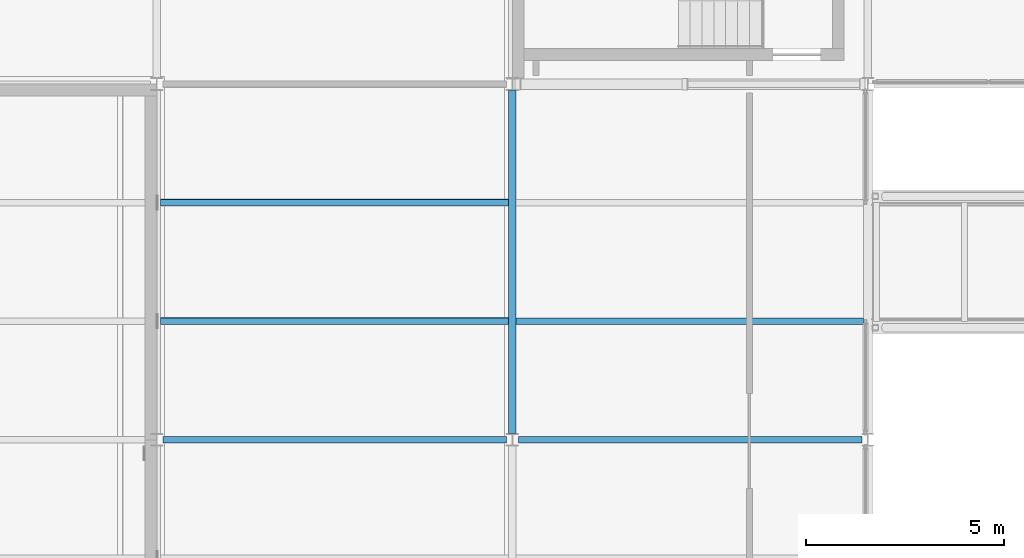
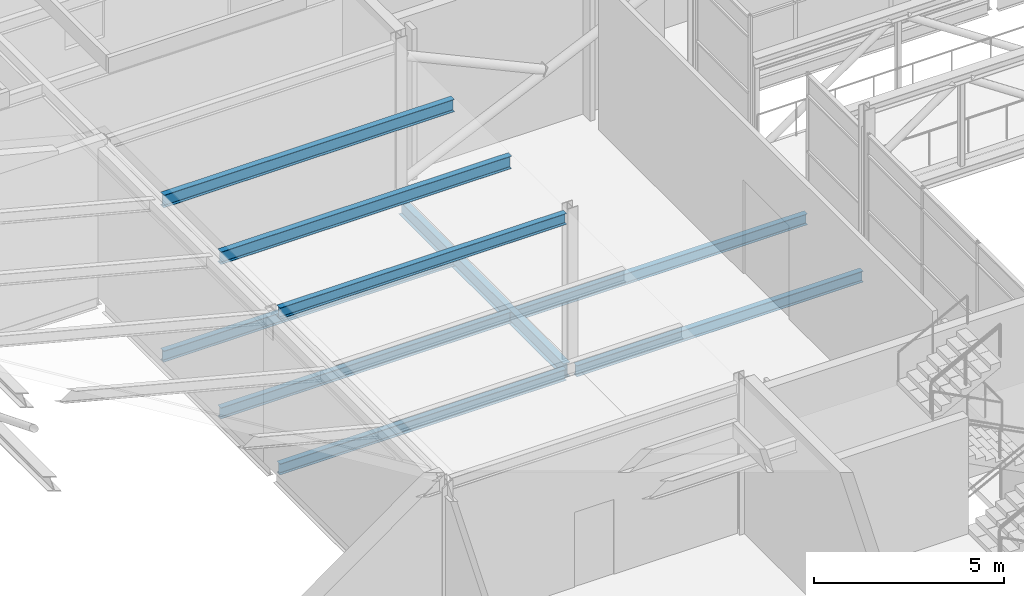
# One storey, part 45 of 115: 9 beams.
"""IFC4 building model written with IfcOpenShell, lengths in metres."""

from ifc_helpers import new_model, si_unit, direction, frame, origin, origin_2d, place, context, subcontext, project, spatial, i_section, extrude, material, material_profile, profile_set, type_object, element, save


model = new_model("IFC4")

# Units and contexts
model_context = context("Model", 3, precision=1e-05, world=origin(), true_north=direction((0.0, 1.0)))
body_context = subcontext(model_context, "Body", "Model", "MODEL_VIEW")
ifc_project = project(units=[si_unit("LENGTHUNIT", "METRE"), si_unit("AREAUNIT", "SQUARE_METRE"), si_unit("VOLUMEUNIT", "CUBIC_METRE"), si_unit("PLANEANGLEUNIT", "RADIAN"), si_unit("MASSUNIT", "GRAM", prefix="KILO")], contexts=[model_context])

# Site, building, storey
site_placement = place(None, origin())
site = spatial("IfcSite", under=ifc_project, at=site_placement, CompositionType="ELEMENT")
building_placement = place(site_placement, origin())
building = spatial("IfcBuilding", under=site, at=building_placement, Name="Shorebreak Coast Museum", CompositionType="ELEMENT")
storey_placement = place(building_placement, frame((0.0, 0.0, 11.0)))
storey = spatial("IfcBuildingStorey", under=building, at=storey_placement, Name="L02", CompositionType="ELEMENT", Elevation=11.0)

# Beams
ifc_material_1 = material(Name="Steel Grade 300", Category="steel")
ifc_material_profile_1 = material_profile(ifc_material_1, i_section(OverallWidth=0.1708984375, OverallDepth=0.355712890625, WebThickness=0.00732421875, FlangeThickness=0.011474609375, FilletRadius=0.011474609375, at=origin_2d()), Name="360UB50.7")
ifc_profile_set_1 = profile_set([ifc_material_profile_1], Name="Steel Grade 300")
beam_type_1 = type_object("IfcBeamType", Name="Floor girder east-west 360UB50.7", PredefinedType="BEAM", material=ifc_profile_set_1)
beam_1_placement = place(storey_placement, frame((45.155517578125, 72.0, -0.352783203125), z_axis=(1.0, 0.0, 0.0), x_axis=(0.0, 1.0, 0.0)))
element("IfcBeam", 1, at=beam_1_placement, inside=storey, type_object=beam_type_1, Name="Floor girder east-west L02 6J", PredefinedType="BEAM", context=body_context, shape_type="SweptSolid", body=[
    extrude(i_section(OverallWidth=0.1708984375, OverallDepth=0.355712890625, WebThickness=0.00732421875, FlangeThickness=0.011474609375, FilletRadius=0.011474609375, at=origin_2d()), origin(), (0.0, 0.0, 1.0), 8.68994140625),
])
ifc_material_2 = material(Name="Steel Grade 300", Category="steel")
ifc_material_profile_2 = material_profile(ifc_material_2, i_section(OverallWidth=0.172119140625, OverallDepth=0.358642578125, WebThickness=0.008056640625, FlangeThickness=0.012939453125, FilletRadius=0.011474609375, at=origin_2d()), Name="360UB56.7")
ifc_profile_set_2 = profile_set([ifc_material_profile_2], Name="Steel Grade 300")
beam_type_2 = type_object("IfcBeamType", Name="Floor girder east-west 360UB56.7", PredefinedType="BEAM", material=ifc_profile_set_2)
beam_2_placement = place(storey_placement, frame((54.154541015625, 72.0, -0.354248046875), z_axis=(1.0, 0.0, 0.0), x_axis=(0.0, 1.0, 0.0)))
element("IfcBeam", 2, at=beam_2_placement, inside=storey, type_object=beam_type_2, Name="Floor girder east-west L02 7J", PredefinedType="BEAM", context=body_context, shape_type="SweptSolid", body=[
    extrude(i_section(OverallWidth=0.172119140625, OverallDepth=0.358642578125, WebThickness=0.008056640625, FlangeThickness=0.012939453125, FilletRadius=0.011474609375, at=origin_2d()), origin(), (0.0, 0.0, 1.0), 8.68994140625),
])
ifc_material_3 = material(Name="Steel Grade 300", Category="steel")
ifc_material_profile_3 = material_profile(ifc_material_3, i_section(OverallWidth=0.19091796875, OverallDepth=0.46044921875, WebThickness=0.010009765625, FlangeThickness=0.01611328125, FilletRadius=0.011474609375, at=origin_2d()), Name="460UB82.1")
ifc_profile_set_3 = profile_set([ifc_material_profile_3], Name="Steel Grade 300")
beam_type_3 = type_object("IfcBeamType", Name="Floor girder north-south 460UB82.1", PredefinedType="BEAM", material=ifc_profile_set_3)
beam_3_placement = place(storey_placement, frame((54.0, 72.160400390625, -0.4052734375), z_axis=(0.0, 1.0, 0.0), x_axis=(-1.0, 0.0, 0.0)))
element("IfcBeam", 3, at=beam_3_placement, inside=storey, type_object=beam_type_3, Name="Floor girder north-south L02 7J", PredefinedType="BEAM", context=body_context, shape_type="SweptSolid", body=[
    extrude(i_section(OverallWidth=0.19091796875, OverallDepth=0.46044921875, WebThickness=0.010009765625, FlangeThickness=0.01611328125, FilletRadius=0.011474609375, at=origin_2d()), origin(), (0.0, 0.0, 1.0), 8.67919921875),
])
ifc_material_4 = material(Name="Steel Grade 300", Category="steel")
ifc_material_profile_4 = material_profile(ifc_material_4, i_section(OverallWidth=0.1708984375, OverallDepth=0.35205078125, WebThickness=0.0068359375, FlangeThickness=0.009765625, FilletRadius=0.011474609375, at=origin_2d()), Name="360UB44.7")
ifc_profile_set_4 = profile_set([ifc_material_profile_4], Name="Steel Grade 300")
beam_type_4 = type_object("IfcBeamType", Name="Floor joist 360UB44.7", PredefinedType="JOIST", material=ifc_profile_set_4)
beam_4_placement = place(storey_placement, frame((54.095458984375, 75.0, -0.35107421875), z_axis=(1.0, 0.0, 0.0), x_axis=(0.0, 1.0, 0.0)))
element("IfcBeam", 4, at=beam_4_placement, inside=storey, type_object=beam_type_4, Name="Floor joist L02 bay 7J at 3000 mm", PredefinedType="JOIST", context=body_context, shape_type="SweptSolid", body=[
    extrude(i_section(OverallWidth=0.1708984375, OverallDepth=0.35205078125, WebThickness=0.0068359375, FlangeThickness=0.009765625, FilletRadius=0.011474609375, at=origin_2d()), origin(), (0.0, 0.0, 1.0), 8.7900390625),
])
ifc_material_5 = material(Name="Steel Grade 300", Category="steel")
ifc_material_profile_5 = material_profile(ifc_material_5, i_section(OverallWidth=0.1708984375, OverallDepth=0.355712890625, WebThickness=0.00732421875, FlangeThickness=0.011474609375, FilletRadius=0.011474609375, at=origin_2d()), Name="360UB50.7")
ifc_profile_set_5 = profile_set([ifc_material_profile_5], Name="Steel Grade 300")
beam_type_5 = type_object("IfcBeamType", Name="Floor joist 360UB50.7", PredefinedType="JOIST", material=ifc_profile_set_5)
for number, where, z_axis, x_axis, name in (
    (5, (45.095458984375, 75.0, -0.352783203125), (1.0, 0.0, 0.0), (0.0, 1.0, 0.0), "Floor joist L02 bay 6J at 3000 mm"),
    (6, (45.095458984375, 78.0, -0.352783203125), (1.0, 0.0, 0.0), (0.0, 1.0, 0.0), "Floor joist L02 bay 6J at 6000 mm"),
):
    element("IfcBeam", number, at=place(storey_placement, frame(where, z_axis=z_axis, x_axis=x_axis)), inside=storey, type_object=beam_type_5, Name=name, PredefinedType="JOIST", context=body_context, shape_type="SweptSolid", body=[
        extrude(i_section(OverallWidth=0.1708984375, OverallDepth=0.355712890625, WebThickness=0.00732421875, FlangeThickness=0.011474609375, FilletRadius=0.011474609375, at=origin_2d()), origin(), (0.0, 0.0, 1.0), 8.80908203125),
    ])
ifc_material_6 = material(Name="Steel Grade 300", Category="steel")
ifc_material_profile_6 = material_profile(ifc_material_6, i_section(OverallWidth=0.1708984375, OverallDepth=0.355712890625, WebThickness=0.00732421875, FlangeThickness=0.011474609375, FilletRadius=0.011474609375, at=origin_2d()), Name="360UB50.7")
ifc_profile_set_6 = profile_set([ifc_material_profile_6], Name="Steel Grade 300")
beam_type_6 = type_object("IfcBeamType", Name="Roof deck girder east-west 360UB50.7", PredefinedType="BEAM", material=ifc_profile_set_6)
beam_5_placement = place(storey_placement, frame((45.155517578125, 72.0, 4.647216796875), z_axis=(1.0, 0.0, 0.0), x_axis=(0.0, 1.0, 0.0)))
element("IfcBeam", 7, at=beam_5_placement, inside=storey, type_object=beam_type_6, Name="Roof deck girder east-west L03 6J", PredefinedType="BEAM", context=body_context, shape_type="SweptSolid", body=[
    extrude(i_section(OverallWidth=0.1708984375, OverallDepth=0.355712890625, WebThickness=0.00732421875, FlangeThickness=0.011474609375, FilletRadius=0.011474609375, at=origin_2d()), origin(), (0.0, 0.0, 1.0), 8.69091796875),
])
ifc_material_7 = material(Name="Steel Grade 300", Category="steel")
ifc_material_profile_7 = material_profile(ifc_material_7, i_section(OverallWidth=0.177978515625, OverallDepth=0.402587890625, WebThickness=0.007568359375, FlangeThickness=0.010986328125, FilletRadius=0.011474609375, at=origin_2d()), Name="410UB53.7")
ifc_profile_set_7 = profile_set([ifc_material_profile_7], Name="Steel Grade 300")
beam_type_7 = type_object("IfcBeamType", Name="Roof deck joist 410UB53.7", PredefinedType="JOIST", material=ifc_profile_set_7)
for number, where, z_axis, x_axis, name in (
    (8, (45.094970703125, 75.0, 4.623779296875), (1.0, 0.0, 0.0), (0.0, 1.0, 0.0), "Roof deck joist L03 bay 6J at 3000 mm"),
    (9, (45.094970703125, 78.0, 4.623779296875), (1.0, 0.0, 0.0), (0.0, 1.0, 0.0), "Roof deck joist L03 bay 6J at 6000 mm"),
):
    element("IfcBeam", number, at=place(storey_placement, frame(where, z_axis=z_axis, x_axis=x_axis)), inside=storey, type_object=beam_type_7, Name=name, PredefinedType="JOIST", context=body_context, shape_type="SweptSolid", body=[
        extrude(i_section(OverallWidth=0.177978515625, OverallDepth=0.402587890625, WebThickness=0.007568359375, FlangeThickness=0.010986328125, FilletRadius=0.011474609375, at=origin_2d()), origin(), (0.0, 0.0, 1.0), 8.81005859375),
    ])

save(model, "model.ifc")
